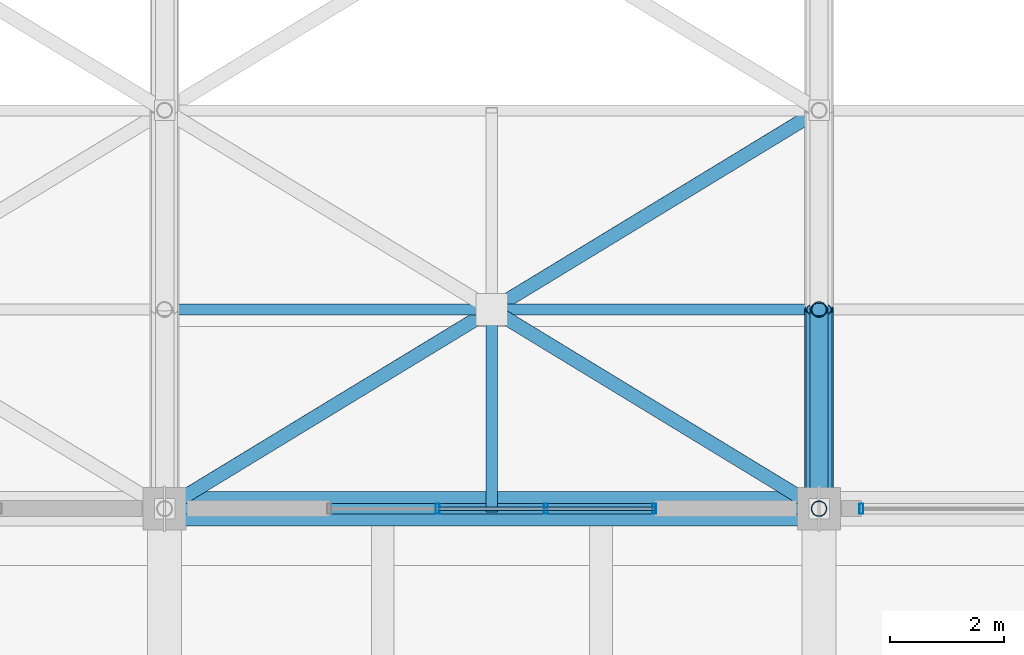
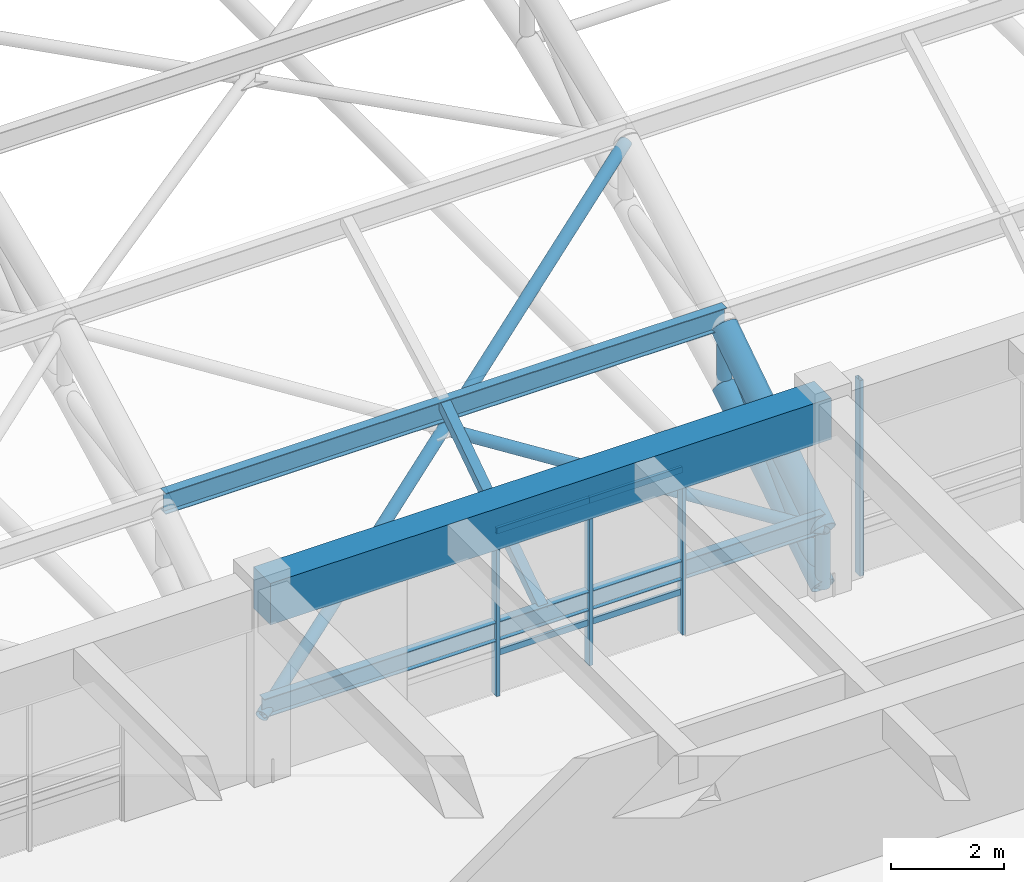
# One storey, part 45 of 154: 18 members, 1 beam, 2 elements without a shape of their own.
"""IFC4 building model written with IfcOpenShell, lengths in metres."""

from ifc_helpers import new_model, si_unit, direction, frame, origin, origin_2d, place, context, subcontext, project, spatial, rectangle, hollow_rectangle, hollow_circle, i_section, extrude, material, material_profile, profile_set, type_object, element, aggregate, save


model = new_model("IFC4")

# Units and contexts
model_context = context("Model", 3, precision=1e-05, world=origin(), true_north=direction((0.0, 1.0)))
body_context = subcontext(model_context, "Body", "Model", "MODEL_VIEW")
ifc_project = project(units=[si_unit("LENGTHUNIT", "METRE"), si_unit("AREAUNIT", "SQUARE_METRE"), si_unit("VOLUMEUNIT", "CUBIC_METRE"), si_unit("PLANEANGLEUNIT", "RADIAN"), si_unit("MASSUNIT", "GRAM", prefix="KILO")], contexts=[model_context])

# Site, building, storey
site_placement = place(None, origin())
site = spatial("IfcSite", under=ifc_project, at=site_placement, CompositionType="ELEMENT")
building_placement = place(site_placement, origin())
building = spatial("IfcBuilding", under=site, at=building_placement, Name="Ologun Quay Terminus", CompositionType="ELEMENT")
storey_placement = place(building_placement, frame((0.0, 0.0, 13.800048828125)))
storey = spatial("IfcBuildingStorey", under=building, at=storey_placement, Name="L03", CompositionType="ELEMENT", Elevation=13.800048828125)

# Members
ifc_material_1 = material(Name="Steel S355", Category="steel")
ifc_material_profile_1 = material_profile(ifc_material_1, hollow_circle(Radius=0.136474609375, WallThickness=0.010009765625, at=origin_2d()), Name="CHS 273x10")
ifc_profile_set_1 = profile_set([ifc_material_profile_1], Name="Steel S355")
member_type_1 = type_object("IfcMemberType", Name="Arch Truss Vertical Post CHS273", PredefinedType="STRUT", material=ifc_profile_set_1)
member_1_placement = place(storey_placement, frame((103.5, 36.0, 0.0), z_axis=(0.0, 0.0, 1.0), x_axis=(1.0, 0.0, 0.0)))
element("IfcMember", 1, at=member_1_placement, inside=storey, type_object=member_type_1, Name="AW2 Arch Web Post 10-N0", PredefinedType="STRUT", context=body_context, shape_type="SweptSolid", body=[
    extrude(hollow_circle(Radius=0.136474609375, WallThickness=0.010009765625, at=origin_2d()), origin(), (0.0, 0.0, 1.0), 1.199951171875),
])
member_2_placement = place(storey_placement, frame((103.5, 39.5, 2.212158203125), z_axis=(0.0, 0.0, 1.0), x_axis=(1.0, 0.0, 0.0)))
element("IfcMember", 2, at=member_2_placement, inside=storey, type_object=member_type_1, Name="AW2 Arch Web Post 10-N1", PredefinedType="STRUT", context=body_context, shape_type="SweptSolid", body=[
    extrude(hollow_circle(Radius=0.136474609375, WallThickness=0.010009765625, at=origin_2d()), origin(), (0.0, 0.0, 1.0), 1.28564453125),
])
ifc_material_2 = material(Name="Steel S355", Category="steel")
ifc_material_profile_2 = material_profile(ifc_material_2, hollow_circle(Radius=0.161865234375, WallThickness=0.010009765625, at=origin_2d()), Name="CHS 323.9x10")
ifc_profile_set_2 = profile_set([ifc_material_profile_2], Name="Steel S355")
member_type_2 = type_object("IfcMemberType", Name="Arch Truss Web Diagonal CHS323", PredefinedType="BRACE", material=ifc_profile_set_2)
member_3_placement = place(storey_placement, frame((103.5, 36.0, 0.0), z_axis=(0.0, 0.707328773357, 0.706884719301), x_axis=(-1.0, 0.0, 0.0)))
element("IfcMember", 3, at=member_3_placement, inside=storey, type_object=member_type_2, Name="AW1 Arch Web Diagonal 10-P1", PredefinedType="BRACE", context=body_context, shape_type="SweptSolid", body=[
    extrude(hollow_circle(Radius=0.161865234375, WallThickness=0.010009765625, at=origin_2d()), origin(), (0.0, 0.0, 1.0), 4.9482421875),
])

# Curtain wall, members
ifc_material_3 = material(Name="Aluminium 6063-T6", Category="aluminium")
curtain_wall_type = type_object("IfcCurtainWallType", Name="South Pavilion Clerestory Curtain Wall 10700x4050", PredefinedType="USERDEFINED", material=ifc_material_3)
curtain_wall_1_placement = place(storey_placement, origin())
curtain_wall_1 = element("IfcCurtainWall", 4, at=curtain_wall_1_placement, inside=storey, type_object=curtain_wall_type, Name="CW-07 Curtain Wall CW-L03-043", ObjectType="UNITISED CURTAIN WALL", PredefinedType="USERDEFINED")
ifc_material_4 = material(Name="Aluminium 6063-T6", Category="aluminium")
ifc_material_profile_3 = material_profile(ifc_material_4, hollow_rectangle(XDim=0.070068359375, YDim=0.179931640625, WallThickness=0.0048828125, at=origin_2d()), Name="ALU 180x70x5")
ifc_profile_set_3 = profile_set([ifc_material_profile_3], Name="Aluminium 6063-T6")
member_type_3 = type_object("IfcMemberType", Name="Concourse Clerestory Mullion 180x70", PredefinedType="MULLION", material=ifc_profile_set_3)
member_4_placement = place(storey_placement, frame((96.79833984375, 36.0, 0.0), z_axis=(0.0, 0.0, 1.0), x_axis=(1.0, 0.0, 0.0)))
member_4 = element("IfcMember", 5, at=member_4_placement, type_object=member_type_3, Name="CW-L03-043 Mullion 2", PredefinedType="MULLION", context=body_context, shape_type="SweptSolid", body=[
    extrude(hollow_rectangle(XDim=0.070068359375, YDim=0.179931640625, WallThickness=0.0048828125, at=origin_2d()), origin(), (0.0, 0.0, 1.0), 4.239990234375),
])
member_5_placement = place(storey_placement, frame((98.70166015625, 36.0, 0.0), z_axis=(0.0, 0.0, 1.0), x_axis=(1.0, 0.0, 0.0)))
member_5 = element("IfcMember", 6, at=member_5_placement, type_object=member_type_3, Name="CW-L03-043 Mullion 3", PredefinedType="MULLION", context=body_context, shape_type="SweptSolid", body=[
    extrude(hollow_rectangle(XDim=0.070068359375, YDim=0.179931640625, WallThickness=0.0048828125, at=origin_2d()), origin(), (0.0, 0.0, 1.0), 4.239990234375),
])
member_6_placement = place(storey_placement, frame((100.60498046875, 36.0, 0.0), z_axis=(0.0, 0.0, 1.0), x_axis=(1.0, 0.0, 0.0)))
member_6 = element("IfcMember", 7, at=member_6_placement, type_object=member_type_3, Name="CW-L03-043 Mullion 4", PredefinedType="MULLION", context=body_context, shape_type="SweptSolid", body=[
    extrude(hollow_rectangle(XDim=0.070068359375, YDim=0.179931640625, WallThickness=0.0048828125, at=origin_2d()), origin(), (0.0, 0.0, 1.0), 4.239990234375),
])

# Curtain wall, member
curtain_wall_2_placement = place(storey_placement, origin())
curtain_wall_2 = element("IfcCurtainWall", 8, at=curtain_wall_2_placement, inside=storey, type_object=curtain_wall_type, Name="CW-07 Curtain Wall CW-L03-044", ObjectType="UNITISED CURTAIN WALL", PredefinedType="USERDEFINED")
member_7_placement = place(storey_placement, frame((104.2451171875, 36.0, 0.0), z_axis=(0.0, 0.0, 1.0), x_axis=(1.0, 0.0, 0.0)))
member_7 = element("IfcMember", 9, at=member_7_placement, type_object=member_type_3, Name="CW-L03-044 Mullion 1", PredefinedType="MULLION", context=body_context, shape_type="SweptSolid", body=[
    extrude(hollow_rectangle(XDim=0.070068359375, YDim=0.179931640625, WallThickness=0.0048828125, at=origin_2d()), origin(), (0.0, 0.0, 1.0), 4.239990234375),
])
aggregate(curtain_wall_2, [member_7])

# Member
ifc_material_5 = material(Name="Aluminium 6063-T6", Category="aluminium")
ifc_material_profile_4 = material_profile(ifc_material_5, hollow_rectangle(XDim=0.06005859375, YDim=0.1298828125, WallThickness=0.00390625, at=origin_2d()), Name="ALU 130x60x4")
ifc_profile_set_4 = profile_set([ifc_material_profile_4], Name="Aluminium 6063-T6")
member_type_4 = type_object("IfcMemberType", Name="Concourse Clerestory Transom 130x60", PredefinedType="USERDEFINED", material=ifc_profile_set_4)
member_8_placement = place(storey_placement, frame((96.79833984375, 36.0, 0.89990234375), z_axis=(1.0, 0.0, 0.0), x_axis=(0.0, 1.0, 0.0)))
member_8 = element("IfcMember", 10, at=member_8_placement, type_object=member_type_4, Name="CW-L03-043 Transom B2-1", ObjectType="TRANSOM", PredefinedType="USERDEFINED", context=body_context, shape_type="SweptSolid", body=[
    extrude(hollow_rectangle(XDim=0.06005859375, YDim=0.1298828125, WallThickness=0.00390625, at=origin_2d()), origin(), (0.0, 0.0, 1.0), 1.9033203125),
])

member_9_placement = place(storey_placement, frame((96.79833984375, 36.0, 3.5400390625), z_axis=(1.0, 0.0, 0.0), x_axis=(0.0, 1.0, 0.0)))
member_9 = element("IfcMember", 11, at=member_9_placement, type_object=member_type_4, Name="CW-L03-043 Transom B2-2", ObjectType="TRANSOM", PredefinedType="USERDEFINED", context=body_context, shape_type="SweptSolid", body=[
    extrude(hollow_rectangle(XDim=0.06005859375, YDim=0.1298828125, WallThickness=0.00390625, at=origin_2d()), origin(), (0.0, 0.0, 1.0), 1.9033203125),
])

member_10_placement = place(storey_placement, frame((98.70166015625, 36.0, 0.89990234375), z_axis=(1.0, 0.0, 0.0), x_axis=(0.0, 1.0, 0.0)))
member_10 = element("IfcMember", 12, at=member_10_placement, type_object=member_type_4, Name="CW-L03-043 Transom B3-1", ObjectType="TRANSOM", PredefinedType="USERDEFINED", context=body_context, shape_type="SweptSolid", body=[
    extrude(hollow_rectangle(XDim=0.06005859375, YDim=0.1298828125, WallThickness=0.00390625, at=origin_2d()), origin(), (0.0, 0.0, 1.0), 1.9033203125),
])

member_11_placement = place(storey_placement, frame((98.70166015625, 36.0, 3.5400390625), z_axis=(1.0, 0.0, 0.0), x_axis=(0.0, 1.0, 0.0)))
member_11 = element("IfcMember", 13, at=member_11_placement, type_object=member_type_4, Name="CW-L03-043 Transom B3-2", ObjectType="TRANSOM", PredefinedType="USERDEFINED", context=body_context, shape_type="SweptSolid", body=[
    extrude(hollow_rectangle(XDim=0.06005859375, YDim=0.1298828125, WallThickness=0.00390625, at=origin_2d()), origin(), (0.0, 0.0, 1.0), 1.9033203125),
])

aggregate(curtain_wall_1, [member_4, member_5, member_6, member_8, member_9, member_10, member_11])

# Members
ifc_material_6 = material(Name="Steel S355", Category="steel")
ifc_material_profile_5 = material_profile(ifc_material_6, hollow_circle(Radius=0.228515625, WallThickness=0.01611328125, at=origin_2d()), Name="CHS 457x16")
ifc_profile_set_5 = profile_set([ifc_material_profile_5], Name="Steel S355")
member_type_5 = type_object("IfcMemberType", Name="Parabolic Arch Bottom Chord CHS457", PredefinedType="CHORD", material=ifc_profile_set_5)
member_12_placement = place(storey_placement, frame((103.5, 36.0, 0.0), z_axis=(0.0, 0.845310912611, 0.534274705578), x_axis=(-1.0, 0.0, 0.0)))
element("IfcMember", 14, at=member_12_placement, inside=storey, type_object=member_type_5, Name="AC2 Arch Bottom Chord 10-P1", PredefinedType="CHORD", context=body_context, shape_type="SweptSolid", body=[
    extrude(hollow_circle(Radius=0.228515625, WallThickness=0.01611328125, at=origin_2d()), origin(), (0.0, 0.0, 1.0), 4.140380859375),
])
ifc_material_7 = material(Name="Steel S355", Category="steel")
ifc_material_profile_6 = material_profile(ifc_material_7, hollow_circle(Radius=0.25390625, WallThickness=0.01611328125, at=origin_2d()), Name="CHS 508x16")
ifc_profile_set_6 = profile_set([ifc_material_profile_6], Name="Steel S355")
member_type_6 = type_object("IfcMemberType", Name="Parabolic Arch Top Chord CHS508", PredefinedType="CHORD", material=ifc_profile_set_6)
member_13_placement = place(storey_placement, frame((103.5, 36.0, 1.199951171875), z_axis=(0.0, 0.835940905918, 0.548819461949), x_axis=(-1.0, 0.0, 0.0)))
element("IfcMember", 15, at=member_13_placement, inside=storey, type_object=member_type_6, Name="Arch Top Chord 10-P1", PredefinedType="CHORD", context=body_context, shape_type="SweptSolid", body=[
    extrude(hollow_circle(Radius=0.25390625, WallThickness=0.01611328125, at=origin_2d()), origin(), (0.0, 0.0, 1.0), 4.18701171875),
])
ifc_material_8 = material(Name="Steel S355", Category="steel")
ifc_material_profile_7 = material_profile(ifc_material_8, hollow_circle(Radius=0.122314453125, WallThickness=0.008056640625, at=origin_2d()), Name="CHS 244.5x8")
ifc_profile_set_7 = profile_set([ifc_material_profile_7], Name="Steel S355")
member_type_7 = type_object("IfcMemberType", Name="Roof Plan Wind Brace Primary CHS244", PredefinedType="BRACE", material=ifc_profile_set_7)
member_14_placement = place(storey_placement, frame((92.0, 36.0, 1.199951171875), z_axis=(0.815821451603, 0.496586970541, 0.296372636715), x_axis=(-0.519946946896, 0.854198555614, 0.0)))
element("IfcMember", 16, at=member_14_placement, inside=storey, type_object=member_type_7, Name="Roof Wind Brace A B9-K0", PredefinedType="BRACE", context=body_context, shape_type="SweptSolid", body=[
    extrude(hollow_circle(Radius=0.122314453125, WallThickness=0.008056640625, at=origin_2d()), origin(), (0.0, 0.0, 1.0), 14.09619140625),
])
member_15_placement = place(storey_placement, frame((97.8642578125, 39.430419921875, 3.247314453125), z_axis=(0.815823185614, -0.496583416265, -0.29637381886), x_axis=(0.51994342513, 0.854200699288, 0.0)))
element("IfcMember", 17, at=member_15_placement, inside=storey, type_object=member_type_7, Name="Roof Wind Brace B2 B9-K0", PredefinedType="BRACE", context=body_context, shape_type="SweptSolid", body=[
    extrude(hollow_circle(Radius=0.122314453125, WallThickness=0.008056640625, at=origin_2d()), origin(), (0.0, 0.0, 1.0), 6.907958984375),
])
ifc_material_9 = material(Name="Steel S355", Category="steel")
ifc_material_profile_8 = material_profile(ifc_material_9, hollow_rectangle(XDim=0.199951171875, YDim=0.199951171875, WallThickness=0.008056640625, at=origin_2d()), Name="SHS 200x200x8")
ifc_profile_set_8 = profile_set([ifc_material_profile_8], Name="Steel S355")
member_type_8 = type_object("IfcMemberType", Name="Skylight Cross Transom Bar RHS150", PredefinedType="STRUT", material=ifc_profile_set_8)
member_16_placement = place(storey_placement, frame((97.75, 36.0, 1.50341796875), z_axis=(0.0, 0.830398014247, 0.55717065423), x_axis=(-1.0, 0.0, 0.0)))
element("IfcMember", 18, at=member_16_placement, inside=storey, type_object=member_type_8, Name="SK2 Eave Secondary Rafter B9-P1", PredefinedType="STRUT", context=body_context, shape_type="SweptSolid", body=[
    extrude(hollow_rectangle(XDim=0.199951171875, YDim=0.199951171875, WallThickness=0.008056640625, at=origin_2d()), origin(), (0.0, 0.0, 1.0), 4.21484375),
])

# Beam
ifc_material_10 = material(Name="Concrete C40/50", Category="concrete")
ifc_material_profile_9 = material_profile(ifc_material_10, rectangle(XDim=0.60009765625, YDim=0.89990234375, at=origin_2d()), Name="RC 600x900")
ifc_profile_set_9 = profile_set([ifc_material_profile_9], Name="Concrete C40/50")
beam_type = type_object("IfcBeamType", Name="Station Frame Girder 600x900", PredefinedType="BEAM", material=ifc_profile_set_9)
beam_placement = place(storey_placement, frame((92.0, 36.0, 3.800048828125), z_axis=(1.0, 0.0, 0.0), x_axis=(0.0, 1.0, 0.0)))
element("IfcBeam", 19, at=beam_placement, inside=storey, type_object=beam_type, Name="B3 Beam 9/E L03", PredefinedType="BEAM", context=body_context, shape_type="SweptSolid", body=[
    extrude(rectangle(XDim=0.60009765625, YDim=0.89990234375, at=origin_2d()), origin(), (0.0, 0.0, 1.0), 11.5),
])

# Members
ifc_material_11 = material(Name="Steel S355", Category="steel")
ifc_material_profile_10 = material_profile(ifc_material_11, i_section(OverallWidth=0.177978515625, OverallDepth=0.406494140625, WebThickness=0.0078125, FlangeThickness=0.0126953125, at=origin_2d()), Name="UKB 406x178x60")
ifc_profile_set_10 = profile_set([ifc_material_profile_10], Name="Steel S355")
member_type_9 = type_object("IfcMemberType", Name="Train Shed Eave & Ridge Purlin UKB406", PredefinedType="PURLIN", material=ifc_profile_set_10)
member_17_placement = place(storey_placement, frame((92.0, 36.0, 1.403076171875), z_axis=(1.0, 0.0, 0.0), x_axis=(0.0, 1.0, 0.0)))
element("IfcMember", 20, at=member_17_placement, inside=storey, type_object=member_type_9, Name="PR2 Roof Purlin B9-N0", PredefinedType="PURLIN", context=body_context, shape_type="SweptSolid", body=[
    extrude(i_section(OverallWidth=0.177978515625, OverallDepth=0.406494140625, WebThickness=0.0078125, FlangeThickness=0.0126953125, at=origin_2d()), origin(), (0.0, 0.0, 1.0), 11.5),
])
ifc_material_12 = material(Name="Steel S355", Category="steel")
ifc_material_profile_11 = material_profile(ifc_material_12, i_section(OverallWidth=0.1904296875, OverallDepth=0.45703125, WebThickness=0.009033203125, FlangeThickness=0.014404296875, at=origin_2d()), Name="UKB 457x191x74")
ifc_profile_set_11 = profile_set([ifc_material_profile_11], Name="Steel S355")
member_type_10 = type_object("IfcMemberType", Name="Train Shed Primary Roof Purlin UKB457", PredefinedType="PURLIN", material=ifc_profile_set_11)
member_18_placement = place(storey_placement, frame((92.0, 39.5, 3.726318359375), z_axis=(1.0, 0.0, 0.0), x_axis=(0.0, 1.0, 0.0)))
element("IfcMember", 21, at=member_18_placement, inside=storey, type_object=member_type_10, Name="PR1 Roof Purlin B9-N1", PredefinedType="PURLIN", context=body_context, shape_type="SweptSolid", body=[
    extrude(i_section(OverallWidth=0.1904296875, OverallDepth=0.45703125, WebThickness=0.009033203125, FlangeThickness=0.014404296875, at=origin_2d()), origin(), (0.0, 0.0, 1.0), 11.5),
])

save(model, "model.ifc")
